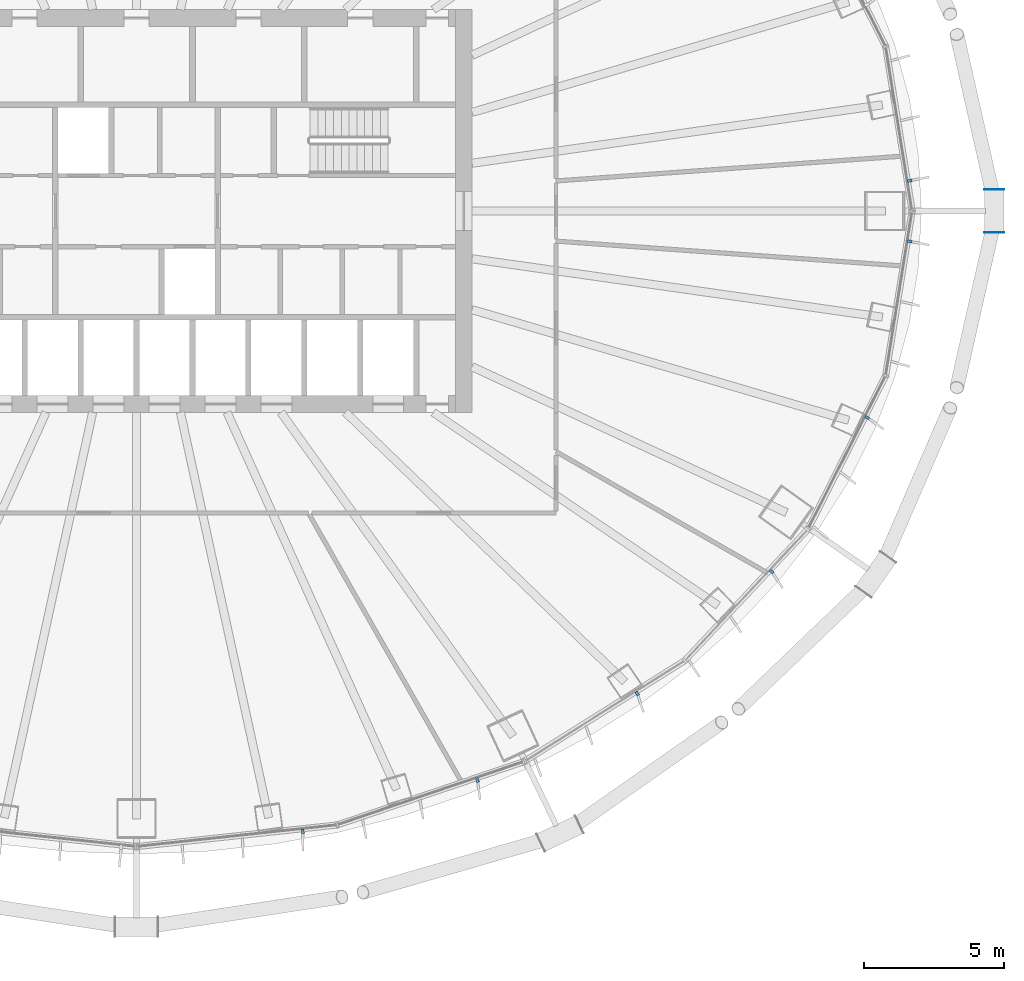
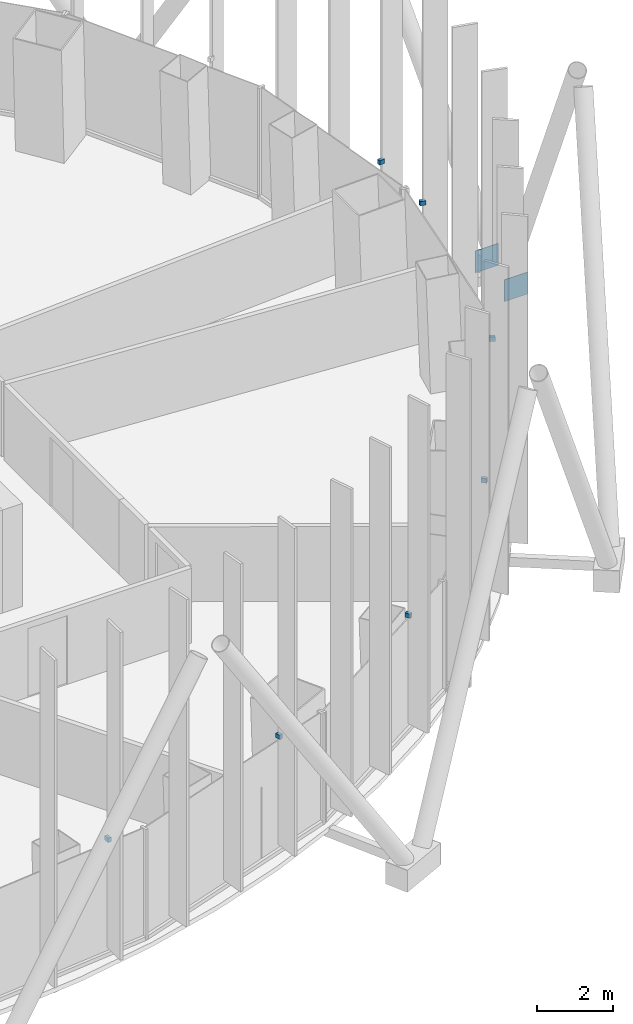
# One storey, part 16 of 22: 9 discrete accessories.
"""IFC4 building model written with IfcOpenShell, lengths in metres."""

from ifc_helpers import new_model, si_unit, direction, frame, origin, origin_2d, place, context, subcontext, project, spatial, rectangle, extrude, material, layer, layer_set, type_object, element, save


model = new_model("IFC4")

# Units and contexts
model_context = context("Model", 3, precision=1e-05, world=origin(), true_north=direction((0.0, 1.0)))
body_context = subcontext(model_context, "Body", "Model", "MODEL_VIEW")
ifc_project = project(units=[si_unit("LENGTHUNIT", "METRE"), si_unit("AREAUNIT", "SQUARE_METRE"), si_unit("VOLUMEUNIT", "CUBIC_METRE"), si_unit("PLANEANGLEUNIT", "RADIAN"), si_unit("MASSUNIT", "GRAM", prefix="KILO")], contexts=[model_context])

# Site, building, storey
site_placement = place(None, origin())
site = spatial("IfcSite", under=ifc_project, at=site_placement, CompositionType="ELEMENT")
building_placement = place(site_placement, origin())
building = spatial("IfcBuilding", under=site, at=building_placement, Name="Siaravel Broadcast Tower", CompositionType="ELEMENT")
storey_placement = place(building_placement, frame((0.0, 0.0, 48.199951171875)))
storey = spatial("IfcBuildingStorey", under=building, at=storey_placement, Name="L10", CompositionType="ELEMENT", Elevation=48.199951171875)

# Discrete accessories
ifc_material_1 = material(Name="Stainless steel 316", Category="steel")
discrete_accessory_type_1 = type_object("IfcDiscreteAccessoryType", Name="Stainless steel fin bracket", PredefinedType="USERDEFINED", material=ifc_material_1)
for number, where, z_axis, x_axis, name in (
    (1, (27.6484375, 1.085693359375, 3.68994140625), (0.0, 0.0, 1.0), (0.987329198, 0.158685394, 0.0), "Fin bracket L10-01"),
    (2, (5.9443359375, -22.174072265625, 3.68994140625), (0.0, 0.0, 1.0), (0.107216783, -0.994235667, 0.0), "Fin bracket L10-58"),
    (3, (12.18896484375, -20.3447265625, 3.68994140625), (0.0, 0.0, 1.0), (0.321300635, -0.946977245, 0.0), "Fin bracket L10-61"),
    (4, (17.901611328125, -17.24951171875, 3.68994140625), (0.0, 0.0, 1.0), (0.532149452, -0.846650436, 0.0), "Fin bracket L10-64"),
    (5, (22.708251953125, -12.8916015625, 3.68994140625), (0.0, 0.0, 1.0), (0.729805608, -0.683654718, 0.0), "Fin bracket L10-67"),
    (6, (26.127685546875, -7.385986328125, 3.68994140625), (0.0, 0.0, 1.0), (0.892392151, -0.451260732, 0.0), "Fin bracket L10-70"),
    (7, (27.6484375, -1.085693359375, 3.68994140625), (0.0, 0.0, 1.0), (0.987329198, -0.158685394, 0.0), "Fin bracket L10-73"),
):
    element("IfcDiscreteAccessory", number, at=place(storey_placement, frame(where, z_axis=z_axis, x_axis=x_axis)), inside=storey, type_object=discrete_accessory_type_1, Name=name, ObjectType="BRACKET", PredefinedType="USERDEFINED", context=body_context, shape_type="SweptSolid", body=[
        extrude(rectangle(XDim=0.159912109375, YDim=0.10009765625, at=origin_2d()), origin(), (0.0, 0.0, 1.0), 0.139892578125),
    ])
ifc_material_2 = material(Name="Steel S355", Category="steel")
ifc_layer = layer(ifc_material_2, 0.02001953125)
ifc_layer_set = layer_set([ifc_layer], Name="Steel S355")
discrete_accessory_type_2 = type_object("IfcDiscreteAccessoryType", Name="Steel end plate 20 mm", PredefinedType="USERDEFINED", material=ifc_layer_set)
for number, where, z_axis, x_axis, name in (
    (8, (30.666015625, 0.763427734375, -0.5498046875), (0.0, 0.0, 1.0), (0.0, 1.0, 0.0), "End plate R05 station 00A"),
    (9, (30.666015625, -0.763427734375, -0.5498046875), (0.0, 0.0, 1.0), (0.0, 1.0, 0.0), "End plate R05 station 00B"),
):
    element("IfcDiscreteAccessory", number, at=place(storey_placement, frame(where, z_axis=z_axis, x_axis=x_axis)), inside=storey, type_object=discrete_accessory_type_2, Name=name, ObjectType="END PLATE", PredefinedType="USERDEFINED", context=body_context, shape_type="SweptSolid", body=[
        extrude(rectangle(XDim=0.02001953125, YDim=0.699951171875, at=origin_2d()), origin(), (0.0, 0.0, 1.0), 0.699951171875),
    ])

save(model, "model.ifc")
